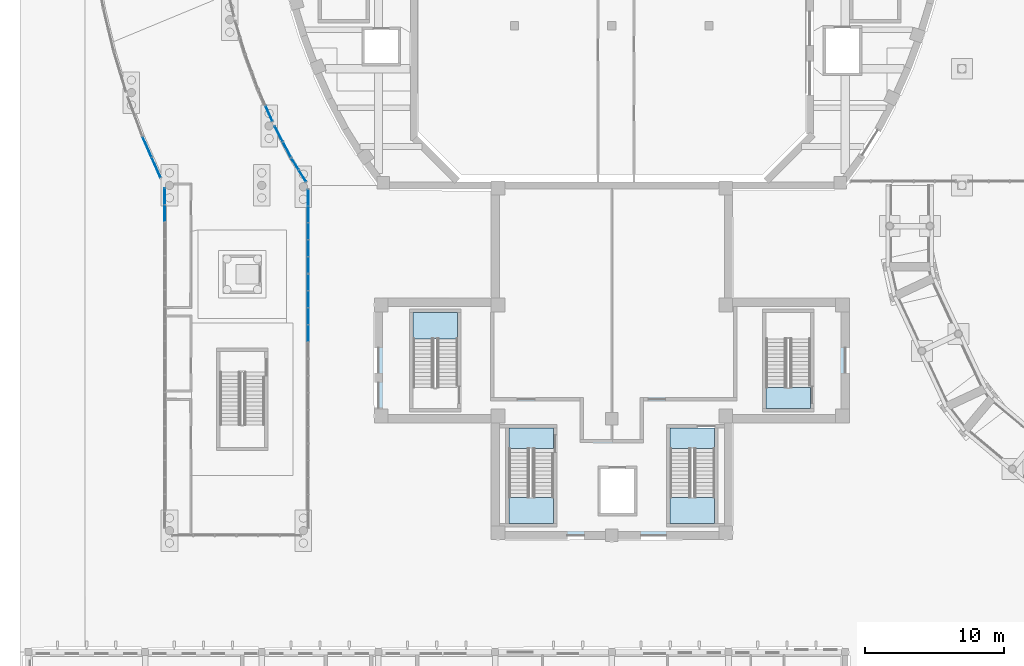
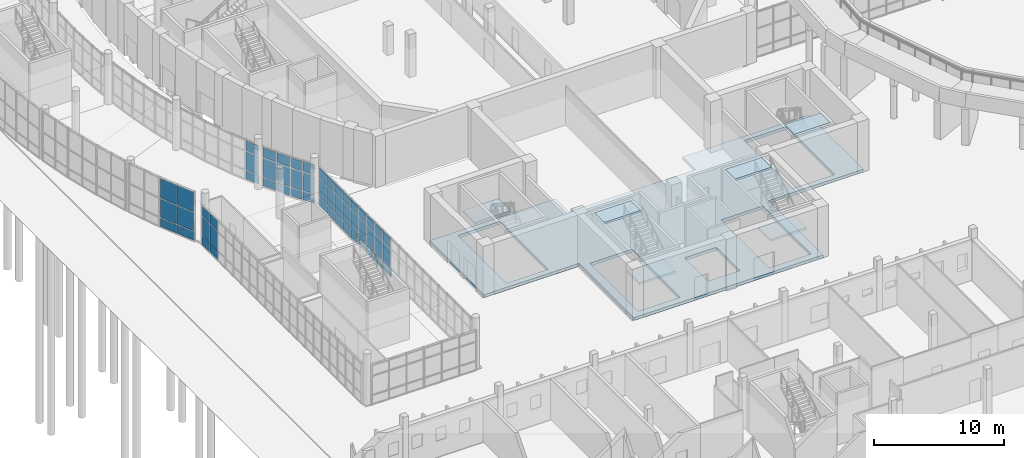
# One storey, part 41 of 110: 54 plates, 7 slabs, 11 elements without a shape of their own.
"""IFC4 building model written with IfcOpenShell, lengths in metres."""

from ifc_helpers import new_model, si_unit, direction, frame, origin, origin_2d, place, context, subcontext, project, spatial, polyline, rectangle, outline, extrude, material, layer, layer_set, type_object, element, aggregate, save


model = new_model("IFC4")

# Units and contexts
model_context = context("Model", 3, precision=1e-05, world=origin(), true_north=direction((0.0, 1.0)))
body_context = subcontext(model_context, "Body", "Model", "MODEL_VIEW")
ifc_project = project(units=[si_unit("LENGTHUNIT", "METRE"), si_unit("AREAUNIT", "SQUARE_METRE"), si_unit("VOLUMEUNIT", "CUBIC_METRE"), si_unit("PLANEANGLEUNIT", "RADIAN"), si_unit("MASSUNIT", "GRAM", prefix="KILO")], contexts=[model_context])

# Site, building, storey
site_placement = place(None, origin())
site = spatial("IfcSite", under=ifc_project, at=site_placement, CompositionType="ELEMENT")
building_placement = place(site_placement, origin())
building = spatial("IfcBuilding", under=site, at=building_placement, Name="Larchfold Concert Hall", CompositionType="ELEMENT")
storey_placement = place(building_placement, origin())
storey = spatial("IfcBuildingStorey", under=building, at=storey_placement, Name="L00", CompositionType="ELEMENT", Elevation=0.0)

# Curtain wall, plates
ifc_material_1 = material(Name="Anodised graphite aluminium curtain wall", Category="aluminium")
ifc_layer_1 = layer(ifc_material_1, 0.14990234375)
ifc_layer_set_1 = layer_set([ifc_layer_1], Name="Anodised graphite aluminium curtain wall")
curtain_wall_type = type_object("IfcCurtainWallType", Name="Curtain wall WG", PredefinedType="NOTDEFINED", material=ifc_layer_set_1)
curtain_wall_1_placement = place(storey_placement, origin())
curtain_wall_1 = element("IfcCurtainWall", 1, at=curtain_wall_1_placement, inside=storey, type_object=curtain_wall_type, Name="Curtain wall CW0061", PredefinedType="NOTDEFINED")
ifc_material_2 = material(Name="Insulated glazing unit, glass", Category="glass")
ifc_layer_2 = layer(ifc_material_2, 0.028076171875)
ifc_layer_set_2 = layer_set([ifc_layer_2], Name="Insulated glazing unit, glass")
plate_type_1 = type_object("IfcPlateType", Name="Glass panel 28", PredefinedType="CURTAIN_PANEL", material=ifc_layer_set_2)
plate_1_placement = place(storey_placement, frame((20.331787109375, 60.077880859375, 0.93994140625), z_axis=(0.0, 0.0, 1.0), x_axis=(-0.52407134145, 0.851674367978, 0.0)))
plate_1 = element("IfcPlate", 2, at=plate_1_placement, type_object=plate_type_1, Name="CW0061 panel 1.2", PredefinedType="CURTAIN_PANEL", context=body_context, shape_type="SweptSolid", body=[
    extrude(rectangle(XDim=0.954345703125, YDim=0.028076171875, at=origin_2d()), origin(), (0.0, 0.0, 1.0), 1.719970703125),
])
plate_2_placement = place(storey_placement, frame((20.331787109375, 60.077880859375, 2.740234375), z_axis=(0.0, 0.0, 1.0), x_axis=(-0.52407134145, 0.851674367978, 0.0)))
plate_2 = element("IfcPlate", 3, at=plate_2_placement, type_object=plate_type_1, Name="CW0061 panel 1.3", PredefinedType="CURTAIN_PANEL", context=body_context, shape_type="SweptSolid", body=[
    extrude(rectangle(XDim=0.954345703125, YDim=0.028076171875, at=origin_2d()), origin(), (0.0, 0.0, 1.0), 0.929931640625),
])
plate_3_placement = place(storey_placement, frame((19.800048828125, 60.94189453125, 0.93994140625), z_axis=(0.0, 0.0, 1.0), x_axis=(-0.52407134145, 0.851674367978, 0.0)))
plate_3 = element("IfcPlate", 4, at=plate_3_placement, type_object=plate_type_1, Name="CW0061 panel 2.2", PredefinedType="CURTAIN_PANEL", context=body_context, shape_type="SweptSolid", body=[
    extrude(rectangle(XDim=0.954345703125, YDim=0.028076171875, at=origin_2d()), origin(), (0.0, 0.0, 1.0), 1.719970703125),
])
plate_4_placement = place(storey_placement, frame((19.800048828125, 60.94189453125, 2.740234375), z_axis=(0.0, 0.0, 1.0), x_axis=(-0.52407134145, 0.851674367978, 0.0)))
plate_4 = element("IfcPlate", 5, at=plate_4_placement, type_object=plate_type_1, Name="CW0061 panel 2.3", PredefinedType="CURTAIN_PANEL", context=body_context, shape_type="SweptSolid", body=[
    extrude(rectangle(XDim=0.954345703125, YDim=0.028076171875, at=origin_2d()), origin(), (0.0, 0.0, 1.0), 0.929931640625),
])

curtain_wall_2_placement = place(storey_placement, origin())
curtain_wall_2 = element("IfcCurtainWall", 6, at=curtain_wall_2_placement, inside=storey, type_object=curtain_wall_type, Name="Curtain wall CW0062", PredefinedType="NOTDEFINED")
plate_5_placement = place(storey_placement, frame((19.21142578125, 61.987060546875, 0.93994140625), z_axis=(0.0, 0.0, 1.0), x_axis=(-0.463190324357, 0.886258835455, 0.0)))
plate_5 = element("IfcPlate", 7, at=plate_5_placement, type_object=plate_type_1, Name="CW0062 panel 1.2", PredefinedType="CURTAIN_PANEL", context=body_context, shape_type="SweptSolid", body=[
    extrude(rectangle(XDim=1.2060546875, YDim=0.028076171875, at=origin_2d()), origin(), (0.0, 0.0, 1.0), 1.719970703125),
])
plate_6_placement = place(storey_placement, frame((19.21142578125, 61.987060546875, 2.740234375), z_axis=(0.0, 0.0, 1.0), x_axis=(-0.463190324357, 0.886258835455, 0.0)))
plate_6 = element("IfcPlate", 8, at=plate_6_placement, type_object=plate_type_1, Name="CW0062 panel 1.3", PredefinedType="CURTAIN_PANEL", context=body_context, shape_type="SweptSolid", body=[
    extrude(rectangle(XDim=1.2060546875, YDim=0.028076171875, at=origin_2d()), origin(), (0.0, 0.0, 1.0), 0.929931640625),
])
plate_7_placement = place(storey_placement, frame((18.625, 63.109130859375, 0.93994140625), z_axis=(0.0, 0.0, 1.0), x_axis=(-0.463190324357, 0.886258835455, 0.0)))
plate_7 = element("IfcPlate", 9, at=plate_7_placement, type_object=plate_type_1, Name="CW0062 panel 2.2", PredefinedType="CURTAIN_PANEL", context=body_context, shape_type="SweptSolid", body=[
    extrude(rectangle(XDim=1.2060546875, YDim=0.028076171875, at=origin_2d()), origin(), (0.0, 0.0, 1.0), 1.719970703125),
])
plate_8_placement = place(storey_placement, frame((18.625, 63.109130859375, 2.740234375), z_axis=(0.0, 0.0, 1.0), x_axis=(-0.463190324357, 0.886258835455, 0.0)))
plate_8 = element("IfcPlate", 10, at=plate_8_placement, type_object=plate_type_1, Name="CW0062 panel 2.3", PredefinedType="CURTAIN_PANEL", context=body_context, shape_type="SweptSolid", body=[
    extrude(rectangle(XDim=1.2060546875, YDim=0.028076171875, at=origin_2d()), origin(), (0.0, 0.0, 1.0), 0.929931640625),
])

curtain_wall_3_placement = place(storey_placement, origin())
curtain_wall_3 = element("IfcCurtainWall", 11, at=curtain_wall_3_placement, inside=storey, type_object=curtain_wall_type, Name="Curtain wall CW0063", PredefinedType="NOTDEFINED")
plate_9_placement = place(storey_placement, frame((17.924072265625, 64.565673828125, 0.93994140625), z_axis=(0.0, 0.0, 1.0), x_axis=(-0.40402618995, 0.914747417506, 0.0)))
plate_9 = element("IfcPlate", 12, at=plate_9_placement, type_object=plate_type_1, Name="CW0063 panel 1.2", PredefinedType="CURTAIN_PANEL", context=body_context, shape_type="SweptSolid", body=[
    extrude(rectangle(XDim=1.186767578125, YDim=0.028076171875, at=origin_2d()), origin(), (0.0, 0.0, 1.0), 1.719970703125),
])
plate_10_placement = place(storey_placement, frame((17.924072265625, 64.565673828125, 2.740234375), z_axis=(0.0, 0.0, 1.0), x_axis=(-0.40402618995, 0.914747417506, 0.0)))
plate_10 = element("IfcPlate", 13, at=plate_10_placement, type_object=plate_type_1, Name="CW0063 panel 1.3", PredefinedType="CURTAIN_PANEL", context=body_context, shape_type="SweptSolid", body=[
    extrude(rectangle(XDim=1.186767578125, YDim=0.028076171875, at=origin_2d()), origin(), (0.0, 0.0, 1.0), 0.929931640625),
])

curtain_wall_4_placement = place(storey_placement, origin())
curtain_wall_4 = element("IfcCurtainWall", 14, at=curtain_wall_4_placement, inside=storey, type_object=curtain_wall_type, Name="Curtain wall CW0126", PredefinedType="NOTDEFINED")
plate_11_placement = place(storey_placement, frame((9.149169921875, 62.15673828125, 0.93994140625), z_axis=(0.0, 0.0, 1.0), x_axis=(0.404126294549, -0.914703196701, 0.0)))
plate_11 = element("IfcPlate", 15, at=plate_11_placement, type_object=plate_type_1, Name="CW0126 panel 1.2", PredefinedType="CURTAIN_PANEL", context=body_context, shape_type="SweptSolid", body=[
    extrude(rectangle(XDim=1.554443359375, YDim=0.028076171875, at=origin_2d()), origin(), (0.0, 0.0, 1.0), 1.719970703125),
])
plate_12_placement = place(storey_placement, frame((9.149169921875, 62.15673828125, 2.740234375), z_axis=(0.0, 0.0, 1.0), x_axis=(0.404126294549, -0.914703196701, 0.0)))
plate_12 = element("IfcPlate", 16, at=plate_12_placement, type_object=plate_type_1, Name="CW0126 panel 1.3", PredefinedType="CURTAIN_PANEL", context=body_context, shape_type="SweptSolid", body=[
    extrude(rectangle(XDim=1.554443359375, YDim=0.028076171875, at=origin_2d()), origin(), (0.0, 0.0, 1.0), 1.829833984375),
])
plate_13_placement = place(storey_placement, frame((9.801513671875, 60.68017578125, 0.93994140625), z_axis=(0.0, 0.0, 1.0), x_axis=(0.404126294549, -0.914703196701, 0.0)))
plate_13 = element("IfcPlate", 17, at=plate_13_placement, type_object=plate_type_1, Name="CW0126 panel 2.2", PredefinedType="CURTAIN_PANEL", context=body_context, shape_type="SweptSolid", body=[
    extrude(rectangle(XDim=1.554443359375, YDim=0.028076171875, at=origin_2d()), origin(), (0.0, 0.0, 1.0), 1.719970703125),
])
plate_14_placement = place(storey_placement, frame((9.801513671875, 60.68017578125, 2.740234375), z_axis=(0.0, 0.0, 1.0), x_axis=(0.404126294549, -0.914703196701, 0.0)))
plate_14 = element("IfcPlate", 18, at=plate_14_placement, type_object=plate_type_1, Name="CW0126 panel 2.3", PredefinedType="CURTAIN_PANEL", context=body_context, shape_type="SweptSolid", body=[
    extrude(rectangle(XDim=1.554443359375, YDim=0.028076171875, at=origin_2d()), origin(), (0.0, 0.0, 1.0), 1.829833984375),
])

curtain_wall_5_placement = place(storey_placement, origin())
curtain_wall_5 = element("IfcCurtainWall", 19, at=curtain_wall_5_placement, inside=storey, type_object=curtain_wall_type, Name="Curtain wall CW0127", PredefinedType="NOTDEFINED")
plate_15_placement = place(storey_placement, frame((10.408447265625, 58.61279296875, 0.93994140625), z_axis=(0.0, 0.0, 1.0), x_axis=(0.0, -1.0, 0.0)))
plate_15 = element("IfcPlate", 20, at=plate_15_placement, type_object=plate_type_1, Name="CW0127 panel 1.2", PredefinedType="CURTAIN_PANEL", context=body_context, shape_type="SweptSolid", body=[
    extrude(rectangle(XDim=1.13671875, YDim=0.028076171875, at=origin_2d()), origin(), (0.0, 0.0, 1.0), 1.719970703125),
])
plate_16_placement = place(storey_placement, frame((10.408447265625, 58.61279296875, 2.740234375), z_axis=(0.0, 0.0, 1.0), x_axis=(0.0, -1.0, 0.0)))
plate_16 = element("IfcPlate", 21, at=plate_16_placement, type_object=plate_type_1, Name="CW0127 panel 1.3", PredefinedType="CURTAIN_PANEL", context=body_context, shape_type="SweptSolid", body=[
    extrude(rectangle(XDim=1.13671875, YDim=0.028076171875, at=origin_2d()), origin(), (0.0, 0.0, 1.0), 0.929931640625),
])
plate_17_placement = place(storey_placement, frame((10.408447265625, 57.4013671875, 0.93994140625), z_axis=(0.0, 0.0, 1.0), x_axis=(0.0, -1.0, 0.0)))
plate_17 = element("IfcPlate", 22, at=plate_17_placement, type_object=plate_type_1, Name="CW0127 panel 2.2", PredefinedType="CURTAIN_PANEL", context=body_context, shape_type="SweptSolid", body=[
    extrude(rectangle(XDim=1.16650390625, YDim=0.028076171875, at=origin_2d()), origin(), (0.0, 0.0, 1.0), 1.719970703125),
])
plate_18_placement = place(storey_placement, frame((10.408447265625, 57.4013671875, 2.740234375), z_axis=(0.0, 0.0, 1.0), x_axis=(0.0, -1.0, 0.0)))
plate_18 = element("IfcPlate", 23, at=plate_18_placement, type_object=plate_type_1, Name="CW0127 panel 2.3", PredefinedType="CURTAIN_PANEL", context=body_context, shape_type="SweptSolid", body=[
    extrude(rectangle(XDim=1.16650390625, YDim=0.028076171875, at=origin_2d()), origin(), (0.0, 0.0, 1.0), 0.929931640625),
])

curtain_wall_6_placement = place(storey_placement, origin())
curtain_wall_6 = element("IfcCurtainWall", 24, at=curtain_wall_6_placement, inside=storey, type_object=curtain_wall_type, Name="Curtain wall CW0135", PredefinedType="NOTDEFINED")
plate_19_placement = place(storey_placement, frame((20.748779296875, 48.758056640625, 0.93994140625), z_axis=(0.0, 0.0, 1.0), x_axis=(0.0, 1.0, 0.0)))
plate_19 = element("IfcPlate", 25, at=plate_19_placement, type_object=plate_type_1, Name="CW0135 panel 2.2", PredefinedType="CURTAIN_PANEL", context=body_context, shape_type="SweptSolid", body=[
    extrude(rectangle(XDim=1.16162109375, YDim=0.028076171875, at=origin_2d()), origin(), (0.0, 0.0, 1.0), 1.719970703125),
])
plate_20_placement = place(storey_placement, frame((20.748779296875, 48.758056640625, 2.740234375), z_axis=(0.0, 0.0, 1.0), x_axis=(0.0, 1.0, 0.0)))
plate_20 = element("IfcPlate", 26, at=plate_20_placement, type_object=plate_type_1, Name="CW0135 panel 2.3", PredefinedType="CURTAIN_PANEL", context=body_context, shape_type="SweptSolid", body=[
    extrude(rectangle(XDim=1.16162109375, YDim=0.028076171875, at=origin_2d()), origin(), (0.0, 0.0, 1.0), 0.929931640625),
])
plate_21_placement = place(storey_placement, frame((20.748779296875, 49.979736328125, 0.93994140625), z_axis=(0.0, 0.0, 1.0), x_axis=(0.0, 1.0, 0.0)))
plate_21 = element("IfcPlate", 27, at=plate_21_placement, type_object=plate_type_1, Name="CW0135 panel 3.2", PredefinedType="CURTAIN_PANEL", context=body_context, shape_type="SweptSolid", body=[
    extrude(rectangle(XDim=1.16162109375, YDim=0.028076171875, at=origin_2d()), origin(), (0.0, 0.0, 1.0), 1.719970703125),
])
plate_22_placement = place(storey_placement, frame((20.748779296875, 49.979736328125, 2.740234375), z_axis=(0.0, 0.0, 1.0), x_axis=(0.0, 1.0, 0.0)))
plate_22 = element("IfcPlate", 28, at=plate_22_placement, type_object=plate_type_1, Name="CW0135 panel 3.3", PredefinedType="CURTAIN_PANEL", context=body_context, shape_type="SweptSolid", body=[
    extrude(rectangle(XDim=1.16162109375, YDim=0.028076171875, at=origin_2d()), origin(), (0.0, 0.0, 1.0), 0.929931640625),
])
plate_23_placement = place(storey_placement, frame((20.748779296875, 51.20166015625, 0.93994140625), z_axis=(0.0, 0.0, 1.0), x_axis=(0.0, 1.0, 0.0)))
plate_23 = element("IfcPlate", 29, at=plate_23_placement, type_object=plate_type_1, Name="CW0135 panel 4.2", PredefinedType="CURTAIN_PANEL", context=body_context, shape_type="SweptSolid", body=[
    extrude(rectangle(XDim=1.16162109375, YDim=0.028076171875, at=origin_2d()), origin(), (0.0, 0.0, 1.0), 1.719970703125),
])
plate_24_placement = place(storey_placement, frame((20.748779296875, 51.20166015625, 2.740234375), z_axis=(0.0, 0.0, 1.0), x_axis=(0.0, 1.0, 0.0)))
plate_24 = element("IfcPlate", 30, at=plate_24_placement, type_object=plate_type_1, Name="CW0135 panel 4.3", PredefinedType="CURTAIN_PANEL", context=body_context, shape_type="SweptSolid", body=[
    extrude(rectangle(XDim=1.16162109375, YDim=0.028076171875, at=origin_2d()), origin(), (0.0, 0.0, 1.0), 0.929931640625),
])
plate_25_placement = place(storey_placement, frame((20.748779296875, 52.408203125, 0.93994140625), z_axis=(0.0, 0.0, 1.0), x_axis=(0.0, 1.0, 0.0)))
plate_25 = element("IfcPlate", 31, at=plate_25_placement, type_object=plate_type_1, Name="CW0135 panel 5.2", PredefinedType="CURTAIN_PANEL", context=body_context, shape_type="SweptSolid", body=[
    extrude(rectangle(XDim=1.1318359375, YDim=0.028076171875, at=origin_2d()), origin(), (0.0, 0.0, 1.0), 1.719970703125),
])
plate_26_placement = place(storey_placement, frame((20.748779296875, 52.408203125, 2.740234375), z_axis=(0.0, 0.0, 1.0), x_axis=(0.0, 1.0, 0.0)))
plate_26 = element("IfcPlate", 32, at=plate_26_placement, type_object=plate_type_1, Name="CW0135 panel 5.3", PredefinedType="CURTAIN_PANEL", context=body_context, shape_type="SweptSolid", body=[
    extrude(rectangle(XDim=1.1318359375, YDim=0.028076171875, at=origin_2d()), origin(), (0.0, 0.0, 1.0), 0.929931640625),
])

curtain_wall_7_placement = place(storey_placement, origin())
curtain_wall_7 = element("IfcCurtainWall", 33, at=curtain_wall_7_placement, inside=storey, type_object=curtain_wall_type, Name="Curtain wall CW0136", PredefinedType="NOTDEFINED")
plate_27_placement = place(storey_placement, frame((20.748779296875, 53.66015625, 0.93994140625), z_axis=(0.0, 0.0, 1.0), x_axis=(0.0, 1.0, 0.0)))
plate_27 = element("IfcPlate", 34, at=plate_27_placement, type_object=plate_type_1, Name="CW0136 panel 1.2", PredefinedType="CURTAIN_PANEL", context=body_context, shape_type="SweptSolid", body=[
    extrude(rectangle(XDim=1.1318359375, YDim=0.028076171875, at=origin_2d()), origin(), (0.0, 0.0, 1.0), 1.719970703125),
])
plate_28_placement = place(storey_placement, frame((20.748779296875, 53.66015625, 2.740234375), z_axis=(0.0, 0.0, 1.0), x_axis=(0.0, 1.0, 0.0)))
plate_28 = element("IfcPlate", 35, at=plate_28_placement, type_object=plate_type_1, Name="CW0136 panel 1.3", PredefinedType="CURTAIN_PANEL", context=body_context, shape_type="SweptSolid", body=[
    extrude(rectangle(XDim=1.1318359375, YDim=0.028076171875, at=origin_2d()), origin(), (0.0, 0.0, 1.0), 0.929931640625),
])
plate_29_placement = place(storey_placement, frame((20.748779296875, 54.866943359375, 0.93994140625), z_axis=(0.0, 0.0, 1.0), x_axis=(0.0, 1.0, 0.0)))
plate_29 = element("IfcPlate", 36, at=plate_29_placement, type_object=plate_type_1, Name="CW0136 panel 2.2", PredefinedType="CURTAIN_PANEL", context=body_context, shape_type="SweptSolid", body=[
    extrude(rectangle(XDim=1.161865234375, YDim=0.028076171875, at=origin_2d()), origin(), (0.0, 0.0, 1.0), 1.719970703125),
])
plate_30_placement = place(storey_placement, frame((20.748779296875, 54.866943359375, 2.740234375), z_axis=(0.0, 0.0, 1.0), x_axis=(0.0, 1.0, 0.0)))
plate_30 = element("IfcPlate", 37, at=plate_30_placement, type_object=plate_type_1, Name="CW0136 panel 2.3", PredefinedType="CURTAIN_PANEL", context=body_context, shape_type="SweptSolid", body=[
    extrude(rectangle(XDim=1.161865234375, YDim=0.028076171875, at=origin_2d()), origin(), (0.0, 0.0, 1.0), 0.929931640625),
])
plate_31_placement = place(storey_placement, frame((20.748779296875, 56.088623046875, 0.93994140625), z_axis=(0.0, 0.0, 1.0), x_axis=(0.0, 1.0, 0.0)))
plate_31 = element("IfcPlate", 38, at=plate_31_placement, type_object=plate_type_1, Name="CW0136 panel 3.2", PredefinedType="CURTAIN_PANEL", context=body_context, shape_type="SweptSolid", body=[
    extrude(rectangle(XDim=1.161865234375, YDim=0.028076171875, at=origin_2d()), origin(), (0.0, 0.0, 1.0), 1.719970703125),
])
plate_32_placement = place(storey_placement, frame((20.748779296875, 56.088623046875, 2.740234375), z_axis=(0.0, 0.0, 1.0), x_axis=(0.0, 1.0, 0.0)))
plate_32 = element("IfcPlate", 39, at=plate_32_placement, type_object=plate_type_1, Name="CW0136 panel 3.3", PredefinedType="CURTAIN_PANEL", context=body_context, shape_type="SweptSolid", body=[
    extrude(rectangle(XDim=1.161865234375, YDim=0.028076171875, at=origin_2d()), origin(), (0.0, 0.0, 1.0), 0.929931640625),
])
plate_33_placement = place(storey_placement, frame((20.748779296875, 57.310302734375, 0.93994140625), z_axis=(0.0, 0.0, 1.0), x_axis=(0.0, 1.0, 0.0)))
plate_33 = element("IfcPlate", 40, at=plate_33_placement, type_object=plate_type_1, Name="CW0136 panel 4.2", PredefinedType="CURTAIN_PANEL", context=body_context, shape_type="SweptSolid", body=[
    extrude(rectangle(XDim=1.161865234375, YDim=0.028076171875, at=origin_2d()), origin(), (0.0, 0.0, 1.0), 1.719970703125),
])
plate_34_placement = place(storey_placement, frame((20.748779296875, 57.310302734375, 2.740234375), z_axis=(0.0, 0.0, 1.0), x_axis=(0.0, 1.0, 0.0)))
plate_34 = element("IfcPlate", 41, at=plate_34_placement, type_object=plate_type_1, Name="CW0136 panel 4.3", PredefinedType="CURTAIN_PANEL", context=body_context, shape_type="SweptSolid", body=[
    extrude(rectangle(XDim=1.161865234375, YDim=0.028076171875, at=origin_2d()), origin(), (0.0, 0.0, 1.0), 0.929931640625),
])
plate_35_placement = place(storey_placement, frame((20.748779296875, 58.51708984375, 0.93994140625), z_axis=(0.0, 0.0, 1.0), x_axis=(0.0, 1.0, 0.0)))
plate_35 = element("IfcPlate", 42, at=plate_35_placement, type_object=plate_type_1, Name="CW0136 panel 5.2", PredefinedType="CURTAIN_PANEL", context=body_context, shape_type="SweptSolid", body=[
    extrude(rectangle(XDim=1.1318359375, YDim=0.028076171875, at=origin_2d()), origin(), (0.0, 0.0, 1.0), 1.719970703125),
])
plate_36_placement = place(storey_placement, frame((20.748779296875, 58.51708984375, 2.740234375), z_axis=(0.0, 0.0, 1.0), x_axis=(0.0, 1.0, 0.0)))
plate_36 = element("IfcPlate", 43, at=plate_36_placement, type_object=plate_type_1, Name="CW0136 panel 5.3", PredefinedType="CURTAIN_PANEL", context=body_context, shape_type="SweptSolid", body=[
    extrude(rectangle(XDim=1.1318359375, YDim=0.028076171875, at=origin_2d()), origin(), (0.0, 0.0, 1.0), 0.929931640625),
])

# Plate
ifc_material_3 = material(Name="White insulated panel")
ifc_layer_3 = layer(ifc_material_3, 0.06005859375)
ifc_layer_set_3 = layer_set([ifc_layer_3], Name="White insulated panel")
plate_type_2 = type_object("IfcPlateType", Name="Insulated spandrel panel 60", PredefinedType="CURTAIN_PANEL", material=ifc_layer_set_3)
plate_37_placement = place(storey_placement, frame((20.331787109375, 60.077880859375, 0.080078125), z_axis=(0.0, 0.0, 1.0), x_axis=(-0.52407134145, 0.851674367978, 0.0)))
plate_37 = element("IfcPlate", 44, at=plate_37_placement, type_object=plate_type_2, Name="CW0061 panel 1.1", PredefinedType="CURTAIN_PANEL", context=body_context, shape_type="SweptSolid", body=[
    extrude(rectangle(XDim=0.954345703125, YDim=0.06005859375, at=origin_2d()), origin(), (0.0, 0.0, 1.0), 0.77978515625),
])

plate_38_placement = place(storey_placement, frame((19.800048828125, 60.94189453125, 0.080078125), z_axis=(0.0, 0.0, 1.0), x_axis=(-0.52407134145, 0.851674367978, 0.0)))
plate_38 = element("IfcPlate", 45, at=plate_38_placement, type_object=plate_type_2, Name="CW0061 panel 2.1", PredefinedType="CURTAIN_PANEL", context=body_context, shape_type="SweptSolid", body=[
    extrude(rectangle(XDim=0.954345703125, YDim=0.06005859375, at=origin_2d()), origin(), (0.0, 0.0, 1.0), 0.77978515625),
])

aggregate(curtain_wall_1, [plate_37, plate_1, plate_2, plate_38, plate_3, plate_4])

plate_39_placement = place(storey_placement, frame((19.21142578125, 61.987060546875, 0.080078125), z_axis=(0.0, 0.0, 1.0), x_axis=(-0.463190324357, 0.886258835455, 0.0)))
plate_39 = element("IfcPlate", 46, at=plate_39_placement, type_object=plate_type_2, Name="CW0062 panel 1.1", PredefinedType="CURTAIN_PANEL", context=body_context, shape_type="SweptSolid", body=[
    extrude(rectangle(XDim=1.2060546875, YDim=0.06005859375, at=origin_2d()), origin(), (0.0, 0.0, 1.0), 0.77978515625),
])

plate_40_placement = place(storey_placement, frame((18.625, 63.109130859375, 0.080078125), z_axis=(0.0, 0.0, 1.0), x_axis=(-0.463190324357, 0.886258835455, 0.0)))
plate_40 = element("IfcPlate", 47, at=plate_40_placement, type_object=plate_type_2, Name="CW0062 panel 2.1", PredefinedType="CURTAIN_PANEL", context=body_context, shape_type="SweptSolid", body=[
    extrude(rectangle(XDim=1.2060546875, YDim=0.06005859375, at=origin_2d()), origin(), (0.0, 0.0, 1.0), 0.77978515625),
])

aggregate(curtain_wall_2, [plate_39, plate_5, plate_6, plate_40, plate_7, plate_8])

plate_41_placement = place(storey_placement, frame((17.924072265625, 64.565673828125, 0.080078125), z_axis=(0.0, 0.0, 1.0), x_axis=(-0.40402618995, 0.914747417506, 0.0)))
plate_41 = element("IfcPlate", 48, at=plate_41_placement, type_object=plate_type_2, Name="CW0063 panel 1.1", PredefinedType="CURTAIN_PANEL", context=body_context, shape_type="SweptSolid", body=[
    extrude(rectangle(XDim=1.186767578125, YDim=0.06005859375, at=origin_2d()), origin(), (0.0, 0.0, 1.0), 0.77978515625),
])

aggregate(curtain_wall_3, [plate_41, plate_9, plate_10])

plate_42_placement = place(storey_placement, frame((9.149169921875, 62.15673828125, 0.080078125), z_axis=(0.0, 0.0, 1.0), x_axis=(0.404126294549, -0.914703196701, 0.0)))
plate_42 = element("IfcPlate", 49, at=plate_42_placement, type_object=plate_type_2, Name="CW0126 panel 1.1", PredefinedType="CURTAIN_PANEL", context=body_context, shape_type="SweptSolid", body=[
    extrude(rectangle(XDim=1.554443359375, YDim=0.06005859375, at=origin_2d()), origin(), (0.0, 0.0, 1.0), 0.77978515625),
])

plate_43_placement = place(storey_placement, frame((9.801513671875, 60.68017578125, 0.080078125), z_axis=(0.0, 0.0, 1.0), x_axis=(0.404126294549, -0.914703196701, 0.0)))
plate_43 = element("IfcPlate", 50, at=plate_43_placement, type_object=plate_type_2, Name="CW0126 panel 2.1", PredefinedType="CURTAIN_PANEL", context=body_context, shape_type="SweptSolid", body=[
    extrude(rectangle(XDim=1.554443359375, YDim=0.06005859375, at=origin_2d()), origin(), (0.0, 0.0, 1.0), 0.77978515625),
])

aggregate(curtain_wall_4, [plate_42, plate_11, plate_12, plate_43, plate_13, plate_14])

plate_44_placement = place(storey_placement, frame((10.408447265625, 58.61279296875, 0.080078125), z_axis=(0.0, 0.0, 1.0), x_axis=(0.0, -1.0, 0.0)))
plate_44 = element("IfcPlate", 51, at=plate_44_placement, type_object=plate_type_2, Name="CW0127 panel 1.1", PredefinedType="CURTAIN_PANEL", context=body_context, shape_type="SweptSolid", body=[
    extrude(rectangle(XDim=1.13671875, YDim=0.06005859375, at=origin_2d()), origin(), (0.0, 0.0, 1.0), 0.77978515625),
])

plate_45_placement = place(storey_placement, frame((10.408447265625, 57.4013671875, 0.080078125), z_axis=(0.0, 0.0, 1.0), x_axis=(0.0, -1.0, 0.0)))
plate_45 = element("IfcPlate", 52, at=plate_45_placement, type_object=plate_type_2, Name="CW0127 panel 2.1", PredefinedType="CURTAIN_PANEL", context=body_context, shape_type="SweptSolid", body=[
    extrude(rectangle(XDim=1.16650390625, YDim=0.06005859375, at=origin_2d()), origin(), (0.0, 0.0, 1.0), 0.77978515625),
])

aggregate(curtain_wall_5, [plate_44, plate_15, plate_16, plate_45, plate_17, plate_18])

plate_46_placement = place(storey_placement, frame((20.748779296875, 48.758056640625, 0.080078125), z_axis=(0.0, 0.0, 1.0), x_axis=(0.0, 1.0, 0.0)))
plate_46 = element("IfcPlate", 53, at=plate_46_placement, type_object=plate_type_2, Name="CW0135 panel 2.1", PredefinedType="CURTAIN_PANEL", context=body_context, shape_type="SweptSolid", body=[
    extrude(rectangle(XDim=1.16162109375, YDim=0.06005859375, at=origin_2d()), origin(), (0.0, 0.0, 1.0), 0.77978515625),
])

plate_47_placement = place(storey_placement, frame((20.748779296875, 49.979736328125, 0.080078125), z_axis=(0.0, 0.0, 1.0), x_axis=(0.0, 1.0, 0.0)))
plate_47 = element("IfcPlate", 54, at=plate_47_placement, type_object=plate_type_2, Name="CW0135 panel 3.1", PredefinedType="CURTAIN_PANEL", context=body_context, shape_type="SweptSolid", body=[
    extrude(rectangle(XDim=1.16162109375, YDim=0.06005859375, at=origin_2d()), origin(), (0.0, 0.0, 1.0), 0.77978515625),
])

plate_48_placement = place(storey_placement, frame((20.748779296875, 51.20166015625, 0.080078125), z_axis=(0.0, 0.0, 1.0), x_axis=(0.0, 1.0, 0.0)))
plate_48 = element("IfcPlate", 55, at=plate_48_placement, type_object=plate_type_2, Name="CW0135 panel 4.1", PredefinedType="CURTAIN_PANEL", context=body_context, shape_type="SweptSolid", body=[
    extrude(rectangle(XDim=1.16162109375, YDim=0.06005859375, at=origin_2d()), origin(), (0.0, 0.0, 1.0), 0.77978515625),
])

plate_49_placement = place(storey_placement, frame((20.748779296875, 52.408203125, 0.080078125), z_axis=(0.0, 0.0, 1.0), x_axis=(0.0, 1.0, 0.0)))
plate_49 = element("IfcPlate", 56, at=plate_49_placement, type_object=plate_type_2, Name="CW0135 panel 5.1", PredefinedType="CURTAIN_PANEL", context=body_context, shape_type="SweptSolid", body=[
    extrude(rectangle(XDim=1.1318359375, YDim=0.06005859375, at=origin_2d()), origin(), (0.0, 0.0, 1.0), 0.77978515625),
])

aggregate(curtain_wall_6, [plate_46, plate_19, plate_20, plate_47, plate_21, plate_22, plate_48, plate_23, plate_24, plate_49, plate_25, plate_26])

plate_50_placement = place(storey_placement, frame((20.748779296875, 53.66015625, 0.080078125), z_axis=(0.0, 0.0, 1.0), x_axis=(0.0, 1.0, 0.0)))
plate_50 = element("IfcPlate", 57, at=plate_50_placement, type_object=plate_type_2, Name="CW0136 panel 1.1", PredefinedType="CURTAIN_PANEL", context=body_context, shape_type="SweptSolid", body=[
    extrude(rectangle(XDim=1.1318359375, YDim=0.06005859375, at=origin_2d()), origin(), (0.0, 0.0, 1.0), 0.77978515625),
])

plate_51_placement = place(storey_placement, frame((20.748779296875, 54.866943359375, 0.080078125), z_axis=(0.0, 0.0, 1.0), x_axis=(0.0, 1.0, 0.0)))
plate_51 = element("IfcPlate", 58, at=plate_51_placement, type_object=plate_type_2, Name="CW0136 panel 2.1", PredefinedType="CURTAIN_PANEL", context=body_context, shape_type="SweptSolid", body=[
    extrude(rectangle(XDim=1.161865234375, YDim=0.06005859375, at=origin_2d()), origin(), (0.0, 0.0, 1.0), 0.77978515625),
])

plate_52_placement = place(storey_placement, frame((20.748779296875, 56.088623046875, 0.080078125), z_axis=(0.0, 0.0, 1.0), x_axis=(0.0, 1.0, 0.0)))
plate_52 = element("IfcPlate", 59, at=plate_52_placement, type_object=plate_type_2, Name="CW0136 panel 3.1", PredefinedType="CURTAIN_PANEL", context=body_context, shape_type="SweptSolid", body=[
    extrude(rectangle(XDim=1.161865234375, YDim=0.06005859375, at=origin_2d()), origin(), (0.0, 0.0, 1.0), 0.77978515625),
])

plate_53_placement = place(storey_placement, frame((20.748779296875, 57.310302734375, 0.080078125), z_axis=(0.0, 0.0, 1.0), x_axis=(0.0, 1.0, 0.0)))
plate_53 = element("IfcPlate", 60, at=plate_53_placement, type_object=plate_type_2, Name="CW0136 panel 4.1", PredefinedType="CURTAIN_PANEL", context=body_context, shape_type="SweptSolid", body=[
    extrude(rectangle(XDim=1.161865234375, YDim=0.06005859375, at=origin_2d()), origin(), (0.0, 0.0, 1.0), 0.77978515625),
])

plate_54_placement = place(storey_placement, frame((20.748779296875, 58.51708984375, 0.080078125), z_axis=(0.0, 0.0, 1.0), x_axis=(0.0, 1.0, 0.0)))
plate_54 = element("IfcPlate", 61, at=plate_54_placement, type_object=plate_type_2, Name="CW0136 panel 5.1", PredefinedType="CURTAIN_PANEL", context=body_context, shape_type="SweptSolid", body=[
    extrude(rectangle(XDim=1.1318359375, YDim=0.06005859375, at=origin_2d()), origin(), (0.0, 0.0, 1.0), 0.77978515625),
])

aggregate(curtain_wall_7, [plate_50, plate_27, plate_28, plate_51, plate_29, plate_30, plate_52, plate_31, plate_32, plate_53, plate_33, plate_34, plate_54, plate_35, plate_36])

# Slab
ifc_material_4 = material(Name="Concrete C35/45", Category="concrete")
ifc_layer_4 = layer(ifc_material_4, 0.280029296875)
ifc_layer_set_4 = layer_set([ifc_layer_4], Name="Concrete C35/45")
slab_type_1 = type_object("IfcSlabType", Name="Slab 280 flat plate", PredefinedType="FLOOR", material=ifc_layer_set_4)
slab_1_placement = place(storey_placement, frame((0.0, 0.0, -0.280029296875)))
element("IfcSlab", 62, at=slab_1_placement, inside=storey, type_object=slab_type_1, Name="Slab S0005", PredefinedType="FLOOR", context=body_context, shape_type="SweptSolid", body=[
    extrude(outline(polyline([(59.39990234375, 51.0), (51.0, 51.0), (48.199951171875, 51.0), (48.199951171875, 49.0), (37.0, 49.0), (37.0, 51.0), (34.199951171875, 51.0), (34.199951171875, 59.39990234375), (34.199951171875, 51.0), (25.800048828125, 51.0), (25.800048828125, 42.60009765625), (34.199951171875, 42.60009765625), (34.199951171875, 34.199951171875), (51.0, 34.199951171875), (51.0, 42.60009765625), (59.39990234375, 42.60009765625), (59.39990234375, 51.0)]), holes=[polyline([(41.60009765625, 35.60009765625), (41.60009765625, 39.199951171875), (44.39990234375, 39.199951171875), (44.39990234375, 35.60009765625), (41.60009765625, 35.60009765625)]), polyline([(34.949951171875, 42.199951171875), (38.64990234375, 42.199951171875), (38.64990234375, 34.800048828125), (34.949951171875, 34.800048828125), (34.949951171875, 42.199951171875)]), polyline([(46.550048828125, 42.199951171875), (50.25, 42.199951171875), (50.25, 34.800048828125), (46.550048828125, 34.800048828125), (46.550048828125, 42.199951171875)]), polyline([(28.050048828125, 50.5), (31.75, 50.5), (31.75, 43.10009765625), (28.050048828125, 43.10009765625), (28.050048828125, 50.5)]), polyline([(53.449951171875, 50.5), (57.14990234375, 50.5), (57.14990234375, 43.10009765625), (53.449951171875, 43.10009765625), (53.449951171875, 50.5)])]), origin(), (0.0, 0.0, 1.0), 0.280029296875),
])

# Stair, slab
ifc_material_5 = material(Name="Concrete C35/45", Category="concrete")
stair_type = type_object("IfcStairType", Name="Stair RC half-turn enclosed", PredefinedType="HALF_TURN_STAIR", material=ifc_material_5)
stair_1_placement = place(storey_placement, origin())
stair_1 = element("IfcStair", 63, at=stair_1_placement, inside=storey, type_object=stair_type, Name="Stair SH1", PredefinedType="HALF_TURN_STAIR")
ifc_material_6 = material(Name="Concrete C35/45", Category="concrete")
ifc_layer_5 = layer(ifc_material_6, 0.199951171875)
ifc_layer_set_5 = layer_set([ifc_layer_5], Name="Concrete C35/45")
slab_type_2 = type_object("IfcSlabType", Name="Stair landing RC 200", PredefinedType="LANDING", material=ifc_layer_set_5)
slab_2_placement = place(storey_placement, frame((0.0, 0.0, 2.199951171875)))
slab_2 = element("IfcSlab", 64, at=slab_2_placement, type_object=slab_type_2, Name="ST09 landing 1", PredefinedType="LANDING", context=body_context, shape_type="SweptSolid", body=[
    extrude(outline(polyline([(31.5, 48.360107421875), (31.5, 50.25), (28.300048828125, 50.25), (28.300048828125, 48.360107421875), (31.5, 48.360107421875)])), origin(), (0.0, 0.0, 1.0), 0.199951171875),
])
aggregate(stair_1, [slab_2])

stair_2_placement = place(storey_placement, origin())
stair_2 = element("IfcStair", 65, at=stair_2_placement, inside=storey, type_object=stair_type, Name="Stair SH2", PredefinedType="HALF_TURN_STAIR")
slab_3_placement = place(storey_placement, frame((0.0, 0.0, 4.60009765625)))
slab_3 = element("IfcSlab", 66, at=slab_3_placement, type_object=slab_type_2, Name="ST10 landing 2", PredefinedType="LANDING", context=body_context, shape_type="SweptSolid", body=[
    extrude(outline(polyline([(56.89990234375, 43.35009765625), (56.89990234375, 44.85009765625), (53.699951171875, 44.85009765625), (53.699951171875, 43.35009765625), (56.89990234375, 43.35009765625)])), origin(), (0.0, 0.0, 1.0), 0.199951171875),
])
aggregate(stair_2, [slab_3])

# Stair, slabs
stair_3_placement = place(storey_placement, origin())
stair_3 = element("IfcStair", 67, at=stair_3_placement, inside=storey, type_object=stair_type, Name="Stair SH3", PredefinedType="HALF_TURN_STAIR")
slab_4_placement = place(storey_placement, frame((0.0, 0.0, 2.199951171875)))
slab_4 = element("IfcSlab", 68, at=slab_4_placement, type_object=slab_type_2, Name="ST11 landing 1", PredefinedType="LANDING", context=body_context, shape_type="SweptSolid", body=[
    extrude(outline(polyline([(35.199951171875, 36.93994140625), (35.199951171875, 35.050048828125), (38.39990234375, 35.050048828125), (38.39990234375, 36.93994140625), (35.199951171875, 36.93994140625)])), origin(), (0.0, 0.0, 1.0), 0.199951171875),
])
slab_5_placement = place(storey_placement, frame((0.0, 0.0, 4.60009765625)))
slab_5 = element("IfcSlab", 69, at=slab_5_placement, type_object=slab_type_2, Name="ST11 landing 2", PredefinedType="LANDING", context=body_context, shape_type="SweptSolid", body=[
    extrude(outline(polyline([(35.199951171875, 41.949951171875), (35.199951171875, 40.449951171875), (38.39990234375, 40.449951171875), (38.39990234375, 41.949951171875), (35.199951171875, 41.949951171875)])), origin(), (0.0, 0.0, 1.0), 0.199951171875),
])
aggregate(stair_3, [slab_4, slab_5])

stair_4_placement = place(storey_placement, origin())
stair_4 = element("IfcStair", 70, at=stair_4_placement, inside=storey, type_object=stair_type, Name="Stair SH4", PredefinedType="HALF_TURN_STAIR")
slab_6_placement = place(storey_placement, frame((0.0, 0.0, 2.199951171875)))
slab_6 = element("IfcSlab", 71, at=slab_6_placement, type_object=slab_type_2, Name="ST12 landing 1", PredefinedType="LANDING", context=body_context, shape_type="SweptSolid", body=[
    extrude(outline(polyline([(46.800048828125, 36.93994140625), (46.800048828125, 35.050048828125), (50.0, 35.050048828125), (50.0, 36.93994140625), (46.800048828125, 36.93994140625)])), origin(), (0.0, 0.0, 1.0), 0.199951171875),
])
slab_7_placement = place(storey_placement, frame((0.0, 0.0, 4.60009765625)))
slab_7 = element("IfcSlab", 72, at=slab_7_placement, type_object=slab_type_2, Name="ST12 landing 2", PredefinedType="LANDING", context=body_context, shape_type="SweptSolid", body=[
    extrude(outline(polyline([(46.800048828125, 41.949951171875), (46.800048828125, 40.449951171875), (50.0, 40.449951171875), (50.0, 41.949951171875), (46.800048828125, 41.949951171875)])), origin(), (0.0, 0.0, 1.0), 0.199951171875),
])
aggregate(stair_4, [slab_6, slab_7])

save(model, "model.ifc")
